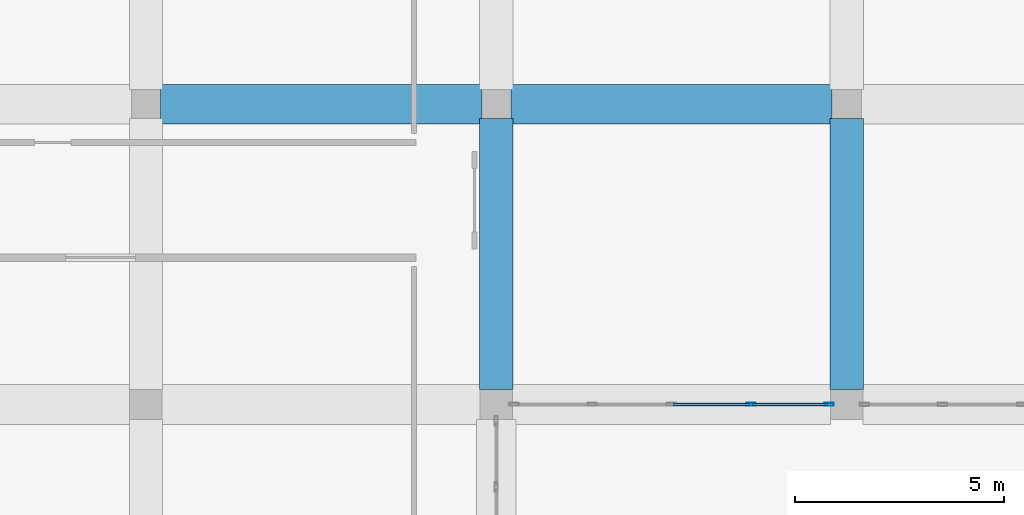
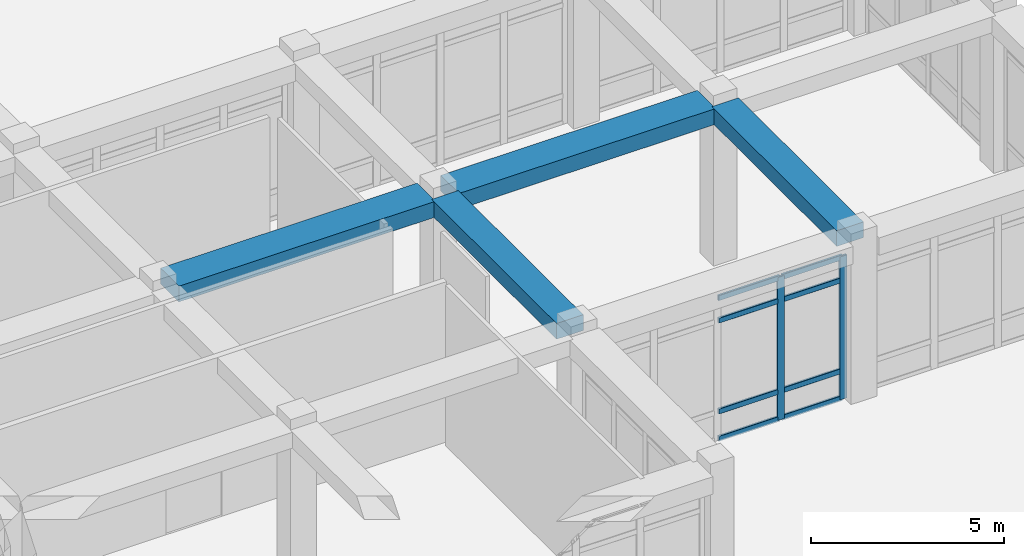
# One storey, part 45 of 84: 10 members, 4 beams, 1 element without a shape of its own.
"""IFC4 building model written with IfcOpenShell, lengths in metres."""

import ifcopenshell
import ifcopenshell.guid

model = None  # the IFC model being written
_history = None  # IfcOwnerHistory: only IFC2X3 demands one
_inside = {}  # id of a spatial element -> (the spatial element, [elements in it])
_under = {}  # id of a project, library or spatial element -> (it, [spatial elements below it])
_declared = {}  # id of a project -> (the project, [libraries it declares])
_typed = {}  # id of a type object -> (the type object, [elements of that type])
_made_of = {}  # id of a material, layer set ... -> (it, [elements and type objects made of it])


def new_model(schema):
    """Start an empty IFC model of exactly this schema.

    Asked for "IFC4X3", IfcOpenShell would pick the latest addendum, in which some entities
    have other attributes; the version numbers below select the first issue.
    IFC2X3 requires an IfcOwnerHistory on every rooted entity: one is made here for all.
    """
    global model, _history
    if schema == "IFC4X3":
        model = ifcopenshell.file(schema_version=(4, 3, 0, 0))
    else:
        model = ifcopenshell.file(schema=schema)
    _inside.clear()
    _under.clear()
    _declared.clear()
    _typed.clear()
    _made_of.clear()
    _history = None
    if model.schema == "IFC2X3":
        org = make("IfcOrganization", Name="unknown")
        user = make(
            "IfcPersonAndOrganization",
            ThePerson=make("IfcPerson", FamilyName="unknown"),
            TheOrganization=org,
        )
        app = make(
            "IfcApplication",
            ApplicationDeveloper=org,
            Version="unknown",
            ApplicationFullName="unknown",
            ApplicationIdentifier="unknown",
        )
        _history = make(
            "IfcOwnerHistory",
            OwningUser=user,
            OwningApplication=app,
            ChangeAction="ADDED",
            CreationDate=0,
        )
    return model


def make(cls, **values):
    """One entity of the class cls with the attributes given. An attribute that is None is left unset."""
    return model.create_entity(
        cls, **{name: value for name, value in values.items() if value is not None}
    )


def rooted(cls, **values):
    """An entity with a GlobalId (a new one), such as an element, a storey or a relation."""
    return make(cls, GlobalId=ifcopenshell.guid.new(), OwnerHistory=_history, **values)


def si_unit(unit_type, name, prefix=None):
    """IfcSIUnit, for example si_unit("LENGTHUNIT", "METRE", prefix="MILLI")."""
    return make("IfcSIUnit", UnitType=unit_type, Prefix=prefix, Name=name)


def derived_unit(unit_type, elements):
    """IfcDerivedUnit: a product of units, each with its exponent."""
    return make(
        "IfcDerivedUnit",
        Elements=[
            make("IfcDerivedUnitElement", Unit=unit, Exponent=power)
            for unit, power in elements
        ],
        UnitType=unit_type,
    )


def assignment(units):
    """IfcUnitAssignment: the units of a project."""
    return None if units is None else make("IfcUnitAssignment", Units=units)


def point(xyz):
    """IfcCartesianPoint."""
    return None if xyz is None else make("IfcCartesianPoint", Coordinates=xyz)


def direction(xyz):
    """IfcDirection."""
    return None if xyz is None else make("IfcDirection", DirectionRatios=xyz)


def frame(location, z_axis=None, x_axis=None):
    """IfcAxis2Placement3D, a coordinate frame: its origin and axes. An axis left out is left unset."""
    return make(
        "IfcAxis2Placement3D",
        Location=point(location),
        Axis=direction(z_axis),
        RefDirection=direction(x_axis),
    )


def frame_2d(location, x_axis=None):
    """IfcAxis2Placement2D, a coordinate frame in the plane: its origin and x axis."""
    return make(
        "IfcAxis2Placement2D", Location=point(location), RefDirection=direction(x_axis)
    )


def origin():
    """The frame at (0, 0, 0) with its axes left unset."""
    return frame((0.0, 0.0, 0.0))


def origin_2d():
    """The frame at (0, 0) in the plane with its x axis left unset."""
    return frame_2d((0.0, 0.0))


def place(relative_to, where):
    """IfcLocalPlacement: puts the frame where relative to a parent placement (None: the world)."""
    return make(
        "IfcLocalPlacement", PlacementRelTo=relative_to, RelativePlacement=where
    )


def context(
    kind, dimensions, precision=None, world=None, true_north=None, identifier=None
):
    """IfcGeometricRepresentationContext, for example the 3D "Model" context."""
    return make(
        "IfcGeometricRepresentationContext",
        ContextIdentifier=identifier,
        ContextType=kind,
        CoordinateSpaceDimension=dimensions,
        Precision=precision,
        WorldCoordinateSystem=world,
        TrueNorth=true_north,
    )


def subcontext(parent, identifier, kind, view, scale=None):
    """IfcGeometricRepresentationSubContext, for example "Body" below "Model"."""
    return make(
        "IfcGeometricRepresentationSubContext",
        ContextIdentifier=identifier,
        ContextType=kind,
        ParentContext=parent,
        TargetScale=scale,
        TargetView=view,
    )


def project(units=None, contexts=None):
    """IfcProject with its units and contexts."""
    return rooted(
        "IfcProject",
        Name="project",
        RepresentationContexts=contexts,
        UnitsInContext=assignment(units),
    )


def spatial(cls, under=None, at=None, **own):
    """A site, building, storey or space (cls), placed at a placement, below another one or the project."""
    s = rooted(cls, ObjectPlacement=at, **own)
    if under is not None:
        _under.setdefault(under.id(), (under, []))[1].append(s)
    return s


def profile(cls, at=None, kind="AREA", **sizes):
    """A parametric profile (cls). Its sizes go by their IFC names, for example OverallWidth=200.0."""
    return make(cls, ProfileType=kind, Position=at, **sizes)


def rectangle(**sizes):
    """IfcRectangleProfileDef."""
    return profile("IfcRectangleProfileDef", **sizes)


def hollow_rectangle(**sizes):
    """IfcRectangleHollowProfileDef."""
    return profile("IfcRectangleHollowProfileDef", **sizes)


def extrude(swept, where, along, depth):
    """IfcExtrudedAreaSolid: the profile swept, set in the frame where, extruded along a direction by depth."""
    return make(
        "IfcExtrudedAreaSolid",
        SweptArea=swept,
        Position=where,
        ExtrudedDirection=direction(along),
        Depth=depth,
    )


def shape(context_of_items, identifier, shape_type, items):
    """IfcShapeRepresentation: the items that make up one representation, for example the "Body"."""
    return make(
        "IfcShapeRepresentation",
        ContextOfItems=context_of_items,
        RepresentationIdentifier=identifier,
        RepresentationType=shape_type,
        Items=items,
    )


def material(Name=None, Category=None):
    """IfcMaterial."""
    return make("IfcMaterial", Name=Name, Category=Category)


def material_profile(
    of_material, cross_section, Name=None, Category=None, Priority=None
):
    """IfcMaterialProfile: a cross section and its material."""
    return make(
        "IfcMaterialProfile",
        Name=Name,
        Material=of_material,
        Profile=cross_section,
        Priority=Priority,
        Category=Category,
    )


def profile_set(profiles, Name=None, composite=None):
    """IfcMaterialProfileSet."""
    return make(
        "IfcMaterialProfileSet",
        Name=Name,
        MaterialProfiles=profiles,
        CompositeProfile=composite,
    )


def made_of(thing, what):
    """Note that an element or type object is made of a material, layer set ...; save() writes the relation."""
    if what is not None:
        _made_of.setdefault(what.id(), (what, []))[1].append(thing)
    return thing


def type_object(cls, material=None, **own):
    """A type object (cls), such as IfcWallType, which elements share."""
    return made_of(rooted(cls, **own), material)


def element(
    cls,
    number,
    at=None,
    inside=None,
    cuts=None,
    type_object=None,
    material=None,
    context=None,
    identifier="Body",
    shape_type=None,
    held_by="IfcProductDefinitionShape",
    body=None,
    shapes=None,
    **own,
):
    """One element of the class cls, such as IfcWall. Its Tag is "e" and its number.

    at: its placement. inside: the storey or other place that contains it. cuts: it is an
    opening in that element (IfcRelVoidsElement). A single representation is given by context,
    identifier, shape_type and body (its items); several are given by shapes. held_by: the class
    of the entity that holds the representations. save() writes the other relations.
    """
    e = rooted(cls, Tag="e%d" % number, ObjectPlacement=at, **own)
    if body is not None:
        shapes = [shape(context, identifier, shape_type, body)]
    if shapes is not None:
        e.Representation = make(held_by, Representations=shapes)
    if inside is not None:
        _inside.setdefault(inside.id(), (inside, []))[1].append(e)
    if cuts is not None:
        rooted(
            "IfcRelVoidsElement", RelatingBuildingElement=cuts, RelatedOpeningElement=e
        )
    if type_object is not None:
        _typed.setdefault(type_object.id(), (type_object, []))[1].append(e)
    return made_of(e, material)


def aggregate(whole, parts):
    """IfcRelAggregates: a whole, such as a stair, and the parts it consists of."""
    return rooted("IfcRelAggregates", RelatingObject=whole, RelatedObjects=parts)


def save(model, path):
    """Write the relations noted so far, then the file.

    IfcRelAggregates (storeys below a building ...), IfcRelContainedInSpatialStructure (elements
    in a storey), IfcRelDefinesByType, IfcRelAssociatesMaterial and IfcRelDeclares: one each for
    every whole, place, type object, material and project.
    """
    for whole, parts in _under.values():
        aggregate(whole, parts)
    for where, things in _inside.values():
        rooted(
            "IfcRelContainedInSpatialStructure",
            RelatedElements=things,
            RelatingStructure=where,
        )
    for kind, things in _typed.values():
        rooted("IfcRelDefinesByType", RelatedObjects=things, RelatingType=kind)
    for what, things in _made_of.values():
        rooted("IfcRelAssociatesMaterial", RelatedObjects=things, RelatingMaterial=what)
    for by, libraries in _declared.values():
        rooted("IfcRelDeclares", RelatingContext=by, RelatedDefinitions=libraries)
    model.write(path)


model = new_model("IFC4")

# Units and contexts
model_context = context("Model", 3, precision=1e-05, world=origin(), true_north=direction((0.0, 1.0)))
body_context = subcontext(model_context, "Body", "Model", "MODEL_VIEW")
ifc_project = project(units=[si_unit("LENGTHUNIT", "METRE"), si_unit("AREAUNIT", "SQUARE_METRE"), si_unit("VOLUMEUNIT", "CUBIC_METRE"), si_unit("PLANEANGLEUNIT", "RADIAN"), si_unit("MASSUNIT", "GRAM", prefix="KILO"), derived_unit("THERMALTRANSMITTANCEUNIT", [(si_unit("POWERUNIT", "WATT"), 1), (si_unit("LENGTHUNIT", "METRE"), -2), (si_unit("THERMODYNAMICTEMPERATUREUNIT", "KELVIN"), -1)])], contexts=[model_context])

# Site, building, storey
site_placement = place(None, origin())
site = spatial("IfcSite", under=ifc_project, at=site_placement, CompositionType="ELEMENT")
building_placement = place(site_placement, origin())
building = spatial("IfcBuilding", under=site, at=building_placement, Name="Veybourne Emporium", CompositionType="ELEMENT")
storey_placement = place(building_placement, origin())
storey = spatial("IfcBuildingStorey", under=building, at=storey_placement, Name="L00", CompositionType="ELEMENT", Elevation=0.0)

# Curtain wall, members
ifc_material_1 = material(Name="Patinated Architectural Bronze", Category="bronze")
curtain_wall_type = type_object("IfcCurtainWallType", Name="CWSystem_CWS-20", PredefinedType="NOTDEFINED", material=ifc_material_1)
curtain_wall_placement = place(storey_placement, origin())
curtain_wall = element("IfcCurtainWall", 1, at=curtain_wall_placement, inside=storey, type_object=curtain_wall_type, Name="L00 bronze glazed curtain wall CWS-20 (073)", PredefinedType="NOTDEFINED")
ifc_material_profile_1 = material_profile(ifc_material_1, hollow_rectangle(XDim=0.070068359375, YDim=0.219970703125, WallThickness=0.0048828125, InnerFilletRadius=0.007568359375, OuterFilletRadius=0.012451171875, at=origin_2d()), Name="CWM 70x220x5")
ifc_profile_set_1 = profile_set([ifc_material_profile_1], Name="Patinated Architectural Bronze")
member_type_1 = type_object("IfcMemberType", Name="CWMullion_CW-M4", PredefinedType="MULLION", material=ifc_profile_set_1)
member_1_placement = place(storey_placement, frame((159.175048828125, 7.199951171875, 0.0), z_axis=(0.0, 0.0, 1.0), x_axis=(0.0, -1.0, 0.0)))
member_1 = element("IfcMember", 2, at=member_1_placement, type_object=member_type_1, Name="CWS-20 mullion 1", PredefinedType="MULLION", context=body_context, shape_type="SweptSolid", body=[
    extrude(hollow_rectangle(XDim=0.070068359375, YDim=0.219970703125, WallThickness=0.0048828125, InnerFilletRadius=0.007568359375, OuterFilletRadius=0.012451171875, at=origin_2d()), origin(), (0.0, 0.0, 1.0), 4.530029296875),
])
member_2_placement = place(storey_placement, frame((157.304931640625, 7.199951171875, 0.0), z_axis=(0.0, 0.0, 1.0), x_axis=(0.0, -1.0, 0.0)))
member_2 = element("IfcMember", 3, at=member_2_placement, type_object=member_type_1, Name="CWS-20 mullion 2", PredefinedType="MULLION", context=body_context, shape_type="SweptSolid", body=[
    extrude(hollow_rectangle(XDim=0.070068359375, YDim=0.219970703125, WallThickness=0.0048828125, InnerFilletRadius=0.007568359375, OuterFilletRadius=0.012451171875, at=origin_2d()), origin(), (0.0, 0.0, 1.0), 4.530029296875),
])
ifc_material_profile_2 = material_profile(ifc_material_1, hollow_rectangle(XDim=0.070068359375, YDim=0.169921875, WallThickness=0.0048828125, InnerFilletRadius=0.007568359375, OuterFilletRadius=0.012451171875, at=origin_2d()), Name="CWT 70x170x5")
ifc_profile_set_2 = profile_set([ifc_material_profile_2], Name="Patinated Architectural Bronze")
member_type_2 = type_object("IfcMemberType", Name="CWTransom_CW-T4", PredefinedType="NOTDEFINED", material=ifc_profile_set_2)
member_3_placement = place(storey_placement, frame((159.139892578125, 7.199951171875, 0.034912109375), z_axis=(-1.0, 0.0, 0.0), x_axis=(0.0, -1.0, 0.0)))
member_3 = element("IfcMember", 4, at=member_3_placement, type_object=member_type_2, Name="CWS-20 transom 1.1", ObjectType="TRANSOM", PredefinedType="USERDEFINED", context=body_context, shape_type="SweptSolid", body=[
    extrude(hollow_rectangle(XDim=0.070068359375, YDim=0.169921875, WallThickness=0.0048828125, InnerFilletRadius=0.007568359375, OuterFilletRadius=0.012451171875, at=origin_2d()), origin(), (0.0, 0.0, 1.0), 1.7998046875),
])
member_4_placement = place(storey_placement, frame((159.139892578125, 7.199951171875, 0.89990234375), z_axis=(-1.0, 0.0, 0.0), x_axis=(0.0, -1.0, 0.0)))
member_4 = element("IfcMember", 5, at=member_4_placement, type_object=member_type_2, Name="CWS-20 transom 1.2", ObjectType="TRANSOM", PredefinedType="USERDEFINED", context=body_context, shape_type="SweptSolid", body=[
    extrude(hollow_rectangle(XDim=0.070068359375, YDim=0.169921875, WallThickness=0.0048828125, InnerFilletRadius=0.007568359375, OuterFilletRadius=0.012451171875, at=origin_2d()), origin(), (0.0, 0.0, 1.0), 1.7998046875),
])
member_5_placement = place(storey_placement, frame((159.139892578125, 7.199951171875, 3.780029296875), z_axis=(-1.0, 0.0, 0.0), x_axis=(0.0, -1.0, 0.0)))
member_5 = element("IfcMember", 6, at=member_5_placement, type_object=member_type_2, Name="CWS-20 transom 1.3", ObjectType="TRANSOM", PredefinedType="USERDEFINED", context=body_context, shape_type="SweptSolid", body=[
    extrude(hollow_rectangle(XDim=0.070068359375, YDim=0.169921875, WallThickness=0.0048828125, InnerFilletRadius=0.007568359375, OuterFilletRadius=0.012451171875, at=origin_2d()), origin(), (0.0, 0.0, 1.0), 1.7998046875),
])
member_6_placement = place(storey_placement, frame((159.139892578125, 7.199951171875, 4.4951171875), z_axis=(-1.0, 0.0, 0.0), x_axis=(0.0, -1.0, 0.0)))
member_6 = element("IfcMember", 7, at=member_6_placement, type_object=member_type_2, Name="CWS-20 transom 1.4", ObjectType="TRANSOM", PredefinedType="USERDEFINED", context=body_context, shape_type="SweptSolid", body=[
    extrude(hollow_rectangle(XDim=0.070068359375, YDim=0.169921875, WallThickness=0.0048828125, InnerFilletRadius=0.007568359375, OuterFilletRadius=0.012451171875, at=origin_2d()), origin(), (0.0, 0.0, 1.0), 1.7998046875),
])
member_7_placement = place(storey_placement, frame((157.27001953125, 7.199951171875, 0.034912109375), z_axis=(-1.0, 0.0, 0.0), x_axis=(0.0, -1.0, 0.0)))
member_7 = element("IfcMember", 8, at=member_7_placement, type_object=member_type_2, Name="CWS-20 transom 2.1", ObjectType="TRANSOM", PredefinedType="USERDEFINED", context=body_context, shape_type="SweptSolid", body=[
    extrude(hollow_rectangle(XDim=0.070068359375, YDim=0.169921875, WallThickness=0.0048828125, InnerFilletRadius=0.007568359375, OuterFilletRadius=0.012451171875, at=origin_2d()), origin(), (0.0, 0.0, 1.0), 1.8349609375),
])
member_8_placement = place(storey_placement, frame((157.27001953125, 7.199951171875, 0.89990234375), z_axis=(-1.0, 0.0, 0.0), x_axis=(0.0, -1.0, 0.0)))
member_8 = element("IfcMember", 9, at=member_8_placement, type_object=member_type_2, Name="CWS-20 transom 2.2", ObjectType="TRANSOM", PredefinedType="USERDEFINED", context=body_context, shape_type="SweptSolid", body=[
    extrude(hollow_rectangle(XDim=0.070068359375, YDim=0.169921875, WallThickness=0.0048828125, InnerFilletRadius=0.007568359375, OuterFilletRadius=0.012451171875, at=origin_2d()), origin(), (0.0, 0.0, 1.0), 1.8349609375),
])
member_9_placement = place(storey_placement, frame((157.27001953125, 7.199951171875, 3.780029296875), z_axis=(-1.0, 0.0, 0.0), x_axis=(0.0, -1.0, 0.0)))
member_9 = element("IfcMember", 10, at=member_9_placement, type_object=member_type_2, Name="CWS-20 transom 2.3", ObjectType="TRANSOM", PredefinedType="USERDEFINED", context=body_context, shape_type="SweptSolid", body=[
    extrude(hollow_rectangle(XDim=0.070068359375, YDim=0.169921875, WallThickness=0.0048828125, InnerFilletRadius=0.007568359375, OuterFilletRadius=0.012451171875, at=origin_2d()), origin(), (0.0, 0.0, 1.0), 1.8349609375),
])
member_10_placement = place(storey_placement, frame((157.27001953125, 7.199951171875, 4.4951171875), z_axis=(-1.0, 0.0, 0.0), x_axis=(0.0, -1.0, 0.0)))
member_10 = element("IfcMember", 11, at=member_10_placement, type_object=member_type_2, Name="CWS-20 transom 2.4", ObjectType="TRANSOM", PredefinedType="USERDEFINED", context=body_context, shape_type="SweptSolid", body=[
    extrude(hollow_rectangle(XDim=0.070068359375, YDim=0.169921875, WallThickness=0.0048828125, InnerFilletRadius=0.007568359375, OuterFilletRadius=0.012451171875, at=origin_2d()), origin(), (0.0, 0.0, 1.0), 1.8349609375),
])
aggregate(curtain_wall, [member_1, member_2, member_3, member_4, member_5, member_6, member_7, member_8, member_9, member_10])

# Beams
ifc_material_2 = material(Name="Concrete C32/40", Category="concrete")
ifc_material_profile_3 = material_profile(ifc_material_2, rectangle(XDim=0.949951171875, YDim=0.5, at=origin_2d()), Name="RC 950x500")
ifc_profile_set_3 = profile_set([ifc_material_profile_3], Name="Concrete C32/40")
beam_type_1 = type_object("IfcBeamType", Name="RCBeam_BB-01", PredefinedType="BEAM", material=ifc_profile_set_3)
beam_1_placement = place(storey_placement, frame((143.14990234375, 14.39990234375, 4.830078125), z_axis=(1.0, 0.0, 0.0), x_axis=(0.0, 1.0, 0.0)))
element("IfcBeam", 12, at=beam_1_placement, inside=storey, type_object=beam_type_1, Name="L00 X-grid beam BB-01 (17,2)", PredefinedType="BEAM", context=body_context, shape_type="SweptSolid", body=[
    extrude(rectangle(XDim=0.949951171875, YDim=0.5, at=origin_2d()), origin(), (0.0, 0.0, 1.0), 7.7001953125),
])
beam_2_placement = place(storey_placement, frame((151.550048828125, 14.39990234375, 4.830078125), z_axis=(1.0, 0.0, 0.0), x_axis=(0.0, 1.0, 0.0)))
element("IfcBeam", 13, at=beam_2_placement, inside=storey, type_object=beam_type_1, Name="L00 X-grid beam BB-01 (18,2)", PredefinedType="BEAM", context=body_context, shape_type="SweptSolid", body=[
    extrude(rectangle(XDim=0.949951171875, YDim=0.5, at=origin_2d()), origin(), (0.0, 0.0, 1.0), 7.699951171875),
])
ifc_material_profile_4 = material_profile(ifc_material_2, rectangle(XDim=0.800048828125, YDim=0.5, at=origin_2d()), Name="RC 800x500")
ifc_profile_set_4 = profile_set([ifc_material_profile_4], Name="Concrete C32/40")
beam_type_2 = type_object("IfcBeamType", Name="RCBeam_BB-02", PredefinedType="BEAM", material=ifc_profile_set_4)
for number, where, z_axis, x_axis, name in (
    (14, (151.199951171875, 7.56005859375, 4.830078125), (0.0, 1.0, 0.0), (-1.0, 0.0, 0.0), "L00 Y-grid beam BB-02 (18,1)"),
    (15, (159.60009765625, 7.56005859375, 4.830078125), (0.0, 1.0, 0.0), (-1.0, 0.0, 0.0), "L00 Y-grid beam BB-02 (19,1)"),
):
    element("IfcBeam", number, at=place(storey_placement, frame(where, z_axis=z_axis, x_axis=x_axis)), inside=storey, type_object=beam_type_2, Name=name, PredefinedType="BEAM", context=body_context, shape_type="SweptSolid", body=[
        extrude(rectangle(XDim=0.800048828125, YDim=0.5, at=origin_2d()), origin(), (0.0, 0.0, 1.0), 6.489990234375),
    ])

save(model, "model.ifc")
